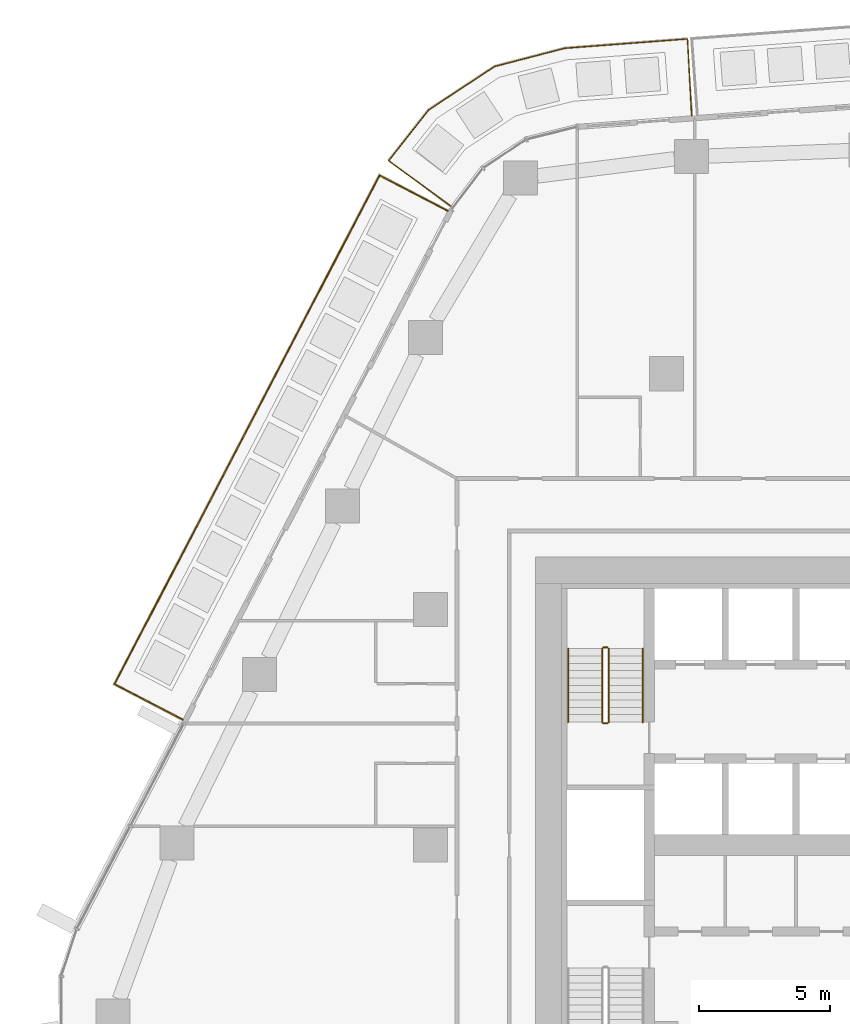
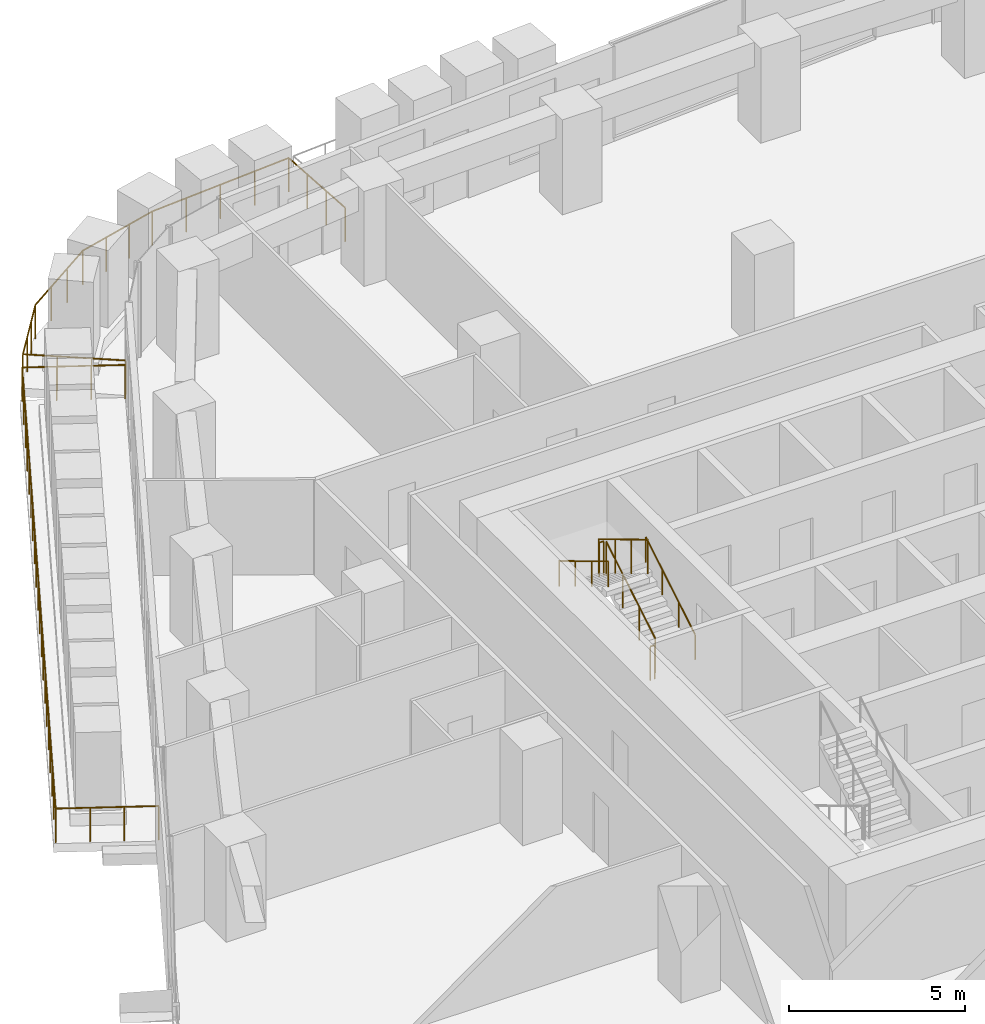
# One storey, part 21 of 23: 8 railings.
"""IFC4 building model written with IfcOpenShell, lengths in metres."""

import ifcopenshell
import ifcopenshell.guid

model = None  # the IFC model being written
_history = None  # IfcOwnerHistory: only IFC2X3 demands one
_inside = {}  # id of a spatial element -> (the spatial element, [elements in it])
_under = {}  # id of a project, library or spatial element -> (it, [spatial elements below it])
_declared = {}  # id of a project -> (the project, [libraries it declares])
_typed = {}  # id of a type object -> (the type object, [elements of that type])
_made_of = {}  # id of a material, layer set ... -> (it, [elements and type objects made of it])


def new_model(schema):
    """Start an empty IFC model of exactly this schema.

    Asked for "IFC4X3", IfcOpenShell would pick the latest addendum, in which some entities
    have other attributes; the version numbers below select the first issue.
    IFC2X3 requires an IfcOwnerHistory on every rooted entity: one is made here for all.
    """
    global model, _history
    if schema == "IFC4X3":
        model = ifcopenshell.file(schema_version=(4, 3, 0, 0))
    else:
        model = ifcopenshell.file(schema=schema)
    _inside.clear()
    _under.clear()
    _declared.clear()
    _typed.clear()
    _made_of.clear()
    _history = None
    if model.schema == "IFC2X3":
        org = make("IfcOrganization", Name="unknown")
        user = make(
            "IfcPersonAndOrganization",
            ThePerson=make("IfcPerson", FamilyName="unknown"),
            TheOrganization=org,
        )
        app = make(
            "IfcApplication",
            ApplicationDeveloper=org,
            Version="unknown",
            ApplicationFullName="unknown",
            ApplicationIdentifier="unknown",
        )
        _history = make(
            "IfcOwnerHistory",
            OwningUser=user,
            OwningApplication=app,
            ChangeAction="ADDED",
            CreationDate=0,
        )
    return model


def make(cls, **values):
    """One entity of the class cls with the attributes given. An attribute that is None is left unset."""
    return model.create_entity(
        cls, **{name: value for name, value in values.items() if value is not None}
    )


def rooted(cls, **values):
    """An entity with a GlobalId (a new one), such as an element, a storey or a relation."""
    return make(cls, GlobalId=ifcopenshell.guid.new(), OwnerHistory=_history, **values)


def si_unit(unit_type, name, prefix=None):
    """IfcSIUnit, for example si_unit("LENGTHUNIT", "METRE", prefix="MILLI")."""
    return make("IfcSIUnit", UnitType=unit_type, Prefix=prefix, Name=name)


def assignment(units):
    """IfcUnitAssignment: the units of a project."""
    return None if units is None else make("IfcUnitAssignment", Units=units)


def point(xyz):
    """IfcCartesianPoint."""
    return None if xyz is None else make("IfcCartesianPoint", Coordinates=xyz)


def direction(xyz):
    """IfcDirection."""
    return None if xyz is None else make("IfcDirection", DirectionRatios=xyz)


def frame(location, z_axis=None, x_axis=None):
    """IfcAxis2Placement3D, a coordinate frame: its origin and axes. An axis left out is left unset."""
    return make(
        "IfcAxis2Placement3D",
        Location=point(location),
        Axis=direction(z_axis),
        RefDirection=direction(x_axis),
    )


def frame_2d(location, x_axis=None):
    """IfcAxis2Placement2D, a coordinate frame in the plane: its origin and x axis."""
    return make(
        "IfcAxis2Placement2D", Location=point(location), RefDirection=direction(x_axis)
    )


def origin():
    """The frame at (0, 0, 0) with its axes left unset."""
    return frame((0.0, 0.0, 0.0))


def origin_2d():
    """The frame at (0, 0) in the plane with its x axis left unset."""
    return frame_2d((0.0, 0.0))


def place(relative_to, where):
    """IfcLocalPlacement: puts the frame where relative to a parent placement (None: the world)."""
    return make(
        "IfcLocalPlacement", PlacementRelTo=relative_to, RelativePlacement=where
    )


def context(
    kind, dimensions, precision=None, world=None, true_north=None, identifier=None
):
    """IfcGeometricRepresentationContext, for example the 3D "Model" context."""
    return make(
        "IfcGeometricRepresentationContext",
        ContextIdentifier=identifier,
        ContextType=kind,
        CoordinateSpaceDimension=dimensions,
        Precision=precision,
        WorldCoordinateSystem=world,
        TrueNorth=true_north,
    )


def subcontext(parent, identifier, kind, view, scale=None):
    """IfcGeometricRepresentationSubContext, for example "Body" below "Model"."""
    return make(
        "IfcGeometricRepresentationSubContext",
        ContextIdentifier=identifier,
        ContextType=kind,
        ParentContext=parent,
        TargetScale=scale,
        TargetView=view,
    )


def project(units=None, contexts=None):
    """IfcProject with its units and contexts."""
    return rooted(
        "IfcProject",
        Name="project",
        RepresentationContexts=contexts,
        UnitsInContext=assignment(units),
    )


def spatial(cls, under=None, at=None, **own):
    """A site, building, storey or space (cls), placed at a placement, below another one or the project."""
    s = rooted(cls, ObjectPlacement=at, **own)
    if under is not None:
        _under.setdefault(under.id(), (under, []))[1].append(s)
    return s


def profile(cls, at=None, kind="AREA", **sizes):
    """A parametric profile (cls). Its sizes go by their IFC names, for example OverallWidth=200.0."""
    return make(cls, ProfileType=kind, Position=at, **sizes)


def circle(**sizes):
    """IfcCircleProfileDef."""
    return profile("IfcCircleProfileDef", **sizes)


def extrude(swept, where, along, depth):
    """IfcExtrudedAreaSolid: the profile swept, set in the frame where, extruded along a direction by depth."""
    return make(
        "IfcExtrudedAreaSolid",
        SweptArea=swept,
        Position=where,
        ExtrudedDirection=direction(along),
        Depth=depth,
    )


def shape(context_of_items, identifier, shape_type, items):
    """IfcShapeRepresentation: the items that make up one representation, for example the "Body"."""
    return make(
        "IfcShapeRepresentation",
        ContextOfItems=context_of_items,
        RepresentationIdentifier=identifier,
        RepresentationType=shape_type,
        Items=items,
    )


def material(Name=None, Category=None):
    """IfcMaterial."""
    return make("IfcMaterial", Name=Name, Category=Category)


def made_of(thing, what):
    """Note that an element or type object is made of a material, layer set ...; save() writes the relation."""
    if what is not None:
        _made_of.setdefault(what.id(), (what, []))[1].append(thing)
    return thing


def type_object(cls, material=None, **own):
    """A type object (cls), such as IfcWallType, which elements share."""
    return made_of(rooted(cls, **own), material)


def element(
    cls,
    number,
    at=None,
    inside=None,
    cuts=None,
    type_object=None,
    material=None,
    context=None,
    identifier="Body",
    shape_type=None,
    held_by="IfcProductDefinitionShape",
    body=None,
    shapes=None,
    **own,
):
    """One element of the class cls, such as IfcWall. Its Tag is "e" and its number.

    at: its placement. inside: the storey or other place that contains it. cuts: it is an
    opening in that element (IfcRelVoidsElement). A single representation is given by context,
    identifier, shape_type and body (its items); several are given by shapes. held_by: the class
    of the entity that holds the representations. save() writes the other relations.
    """
    e = rooted(cls, Tag="e%d" % number, ObjectPlacement=at, **own)
    if body is not None:
        shapes = [shape(context, identifier, shape_type, body)]
    if shapes is not None:
        e.Representation = make(held_by, Representations=shapes)
    if inside is not None:
        _inside.setdefault(inside.id(), (inside, []))[1].append(e)
    if cuts is not None:
        rooted(
            "IfcRelVoidsElement", RelatingBuildingElement=cuts, RelatedOpeningElement=e
        )
    if type_object is not None:
        _typed.setdefault(type_object.id(), (type_object, []))[1].append(e)
    return made_of(e, material)


def aggregate(whole, parts):
    """IfcRelAggregates: a whole, such as a stair, and the parts it consists of."""
    return rooted("IfcRelAggregates", RelatingObject=whole, RelatedObjects=parts)


def save(model, path):
    """Write the relations noted so far, then the file.

    IfcRelAggregates (storeys below a building ...), IfcRelContainedInSpatialStructure (elements
    in a storey), IfcRelDefinesByType, IfcRelAssociatesMaterial and IfcRelDeclares: one each for
    every whole, place, type object, material and project.
    """
    for whole, parts in _under.values():
        aggregate(whole, parts)
    for where, things in _inside.values():
        rooted(
            "IfcRelContainedInSpatialStructure",
            RelatedElements=things,
            RelatingStructure=where,
        )
    for kind, things in _typed.values():
        rooted("IfcRelDefinesByType", RelatedObjects=things, RelatingType=kind)
    for what, things in _made_of.values():
        rooted("IfcRelAssociatesMaterial", RelatedObjects=things, RelatingMaterial=what)
    for by, libraries in _declared.values():
        rooted("IfcRelDeclares", RelatingContext=by, RelatedDefinitions=libraries)
    model.write(path)


model = new_model("IFC4")

# Units and contexts
model_context = context("Model", 3, precision=1e-05, world=origin(), true_north=direction((0.0, 1.0)))
body_context = subcontext(model_context, "Body", "Model", "MODEL_VIEW")
ifc_project = project(units=[si_unit("LENGTHUNIT", "METRE"), si_unit("AREAUNIT", "SQUARE_METRE"), si_unit("VOLUMEUNIT", "CUBIC_METRE"), si_unit("PLANEANGLEUNIT", "RADIAN"), si_unit("MASSUNIT", "GRAM", prefix="KILO")], contexts=[model_context])

# Site, building, storey
site_placement = place(None, origin())
site = spatial("IfcSite", under=ifc_project, at=site_placement, CompositionType="ELEMENT")
building_placement = place(site_placement, origin())
building = spatial("IfcBuilding", under=site, at=building_placement, Name="Dongbaek Canopy Tower", CompositionType="ELEMENT")
storey_placement = place(building_placement, frame((0.0, 0.0, 132.199951171875)))
storey = spatial("IfcBuildingStorey", under=building, at=storey_placement, Name="L29", CompositionType="ELEMENT", Elevation=132.199951171875)

# Railings
ifc_material_1 = material(Name="Stainless steel", Category="steel")
railing_type_1 = type_object("IfcRailingType", Name="Balcony balustrade 1200", PredefinedType="BALUSTRADE", material=ifc_material_1)
railing_1_placement = place(storey_placement, frame((-8.033447265625, 27.8486328125, 0.0)))
element("IfcRailing", 1, at=railing_1_placement, inside=storey, type_object=railing_type_1, Name="Balcony guard L29 6", PredefinedType="BALUSTRADE", context=body_context, shape_type="SweptSolid", body=[
    extrude(circle(Radius=0.02392578125, at=origin_2d()), frame((0.0, 0.0, 1.17578125), z_axis=(-0.053216801753, 0.998582982036, 0.0), x_axis=(-0.998582982036, -0.053216801753, 0.0)), (0.0, 0.0, 1.0), 2.940673828125),
    extrude(circle(Radius=0.02392578125, at=origin_2d()), frame((-0.156494140625, 2.9365234375, 1.17578125), z_axis=(-0.997125831941, -0.075763284491, 0.0), x_axis=(0.075763284491, -0.997125831941, 0.0)), (0.0, 0.0, 1.0), 4.701416015625),
    extrude(circle(Radius=0.02392578125, at=origin_2d()), frame((-4.844482421875, 2.580322265625, 1.17578125), z_axis=(-0.967791156574, -0.251754398686, 0.0), x_axis=(0.251754398686, -0.967791156574, 0.0)), (0.0, 0.0, 1.0), 2.76953125),
    extrude(circle(Radius=0.02392578125, at=origin_2d()), frame((-7.52490234375, 1.883056640625, 1.17578125), z_axis=(-0.835286007651, -0.549815683137, 0.0), x_axis=(0.549815683137, -0.835286007651, 0.0)), (0.0, 0.0, 1.0), 3.016357421875),
    extrude(circle(Radius=0.02392578125, at=origin_2d()), frame((-10.04443359375, 0.224609375, 1.17578125), z_axis=(-0.618384358622, -0.785875807626, 0.0), x_axis=(0.785875807626, -0.618384358622, 0.0)), (0.0, 0.0, 1.0), 2.470703125),
    extrude(circle(Radius=0.02392578125, at=origin_2d()), frame((-11.572265625, -1.717041015625, 1.17578125), z_axis=(0.808466739516, -0.5885418686, 0.0), x_axis=(0.5885418686, 0.808466739516, 0.0)), (0.0, 0.0, 1.0), 2.940673828125),
    extrude(circle(Radius=0.02099609375, at=origin_2d()), origin(), (0.0, 0.0, 1.0), 1.15185546875),
    extrude(circle(Radius=0.02099609375, at=origin_2d()), frame((-0.05224609375, 0.978759765625, 0.0)), (0.0, 0.0, 1.0), 1.15185546875),
    extrude(circle(Radius=0.02099609375, at=origin_2d()), frame((-0.104248046875, 1.957763671875, 0.0)), (0.0, 0.0, 1.0), 1.15185546875),
    extrude(circle(Radius=0.02099609375, at=origin_2d()), frame((-0.156494140625, 2.9365234375, 0.0)), (0.0, 0.0, 1.0), 1.15185546875),
    extrude(circle(Radius=0.02099609375, at=origin_2d()), frame((-1.32861328125, 2.847412109375, 0.0)), (0.0, 0.0, 1.0), 1.15185546875),
    extrude(circle(Radius=0.02099609375, at=origin_2d()), frame((-2.50048828125, 2.75830078125, 0.0)), (0.0, 0.0, 1.0), 1.15185546875),
    extrude(circle(Radius=0.02099609375, at=origin_2d()), frame((-3.67236328125, 2.66943359375, 0.0)), (0.0, 0.0, 1.0), 1.15185546875),
    extrude(circle(Radius=0.02099609375, at=origin_2d()), frame((-4.844482421875, 2.580322265625, 0.0)), (0.0, 0.0, 1.0), 1.15185546875),
    extrude(circle(Radius=0.02099609375, at=origin_2d()), frame((-5.738037109375, 2.347900390625, 0.0)), (0.0, 0.0, 1.0), 1.15185546875),
    extrude(circle(Radius=0.02099609375, at=origin_2d()), frame((-6.63134765625, 2.115478515625, 0.0)), (0.0, 0.0, 1.0), 1.15185546875),
    extrude(circle(Radius=0.02099609375, at=origin_2d()), frame((-7.52490234375, 1.883056640625, 0.0)), (0.0, 0.0, 1.0), 1.15185546875),
    extrude(circle(Radius=0.02099609375, at=origin_2d()), frame((-8.36474609375, 1.330322265625, 0.0)), (0.0, 0.0, 1.0), 1.15185546875),
    extrude(circle(Radius=0.02099609375, at=origin_2d()), frame((-9.20458984375, 0.77734375, 0.0)), (0.0, 0.0, 1.0), 1.15185546875),
    extrude(circle(Radius=0.02099609375, at=origin_2d()), frame((-10.04443359375, 0.224609375, 0.0)), (0.0, 0.0, 1.0), 1.15185546875),
    extrude(circle(Radius=0.02099609375, at=origin_2d()), frame((-10.5537109375, -0.422607421875, 0.0)), (0.0, 0.0, 1.0), 1.15185546875),
    extrude(circle(Radius=0.02099609375, at=origin_2d()), frame((-11.06298828125, -1.06982421875, 0.0)), (0.0, 0.0, 1.0), 1.15185546875),
    extrude(circle(Radius=0.02099609375, at=origin_2d()), frame((-11.572265625, -1.717041015625, 0.0)), (0.0, 0.0, 1.0), 1.15185546875),
    extrude(circle(Radius=0.02099609375, at=origin_2d()), frame((-10.77978515625, -2.2939453125, 0.0)), (0.0, 0.0, 1.0), 1.15185546875),
    extrude(circle(Radius=0.02099609375, at=origin_2d()), frame((-9.9873046875, -2.870849609375, 0.0)), (0.0, 0.0, 1.0), 1.15185546875),
    extrude(circle(Radius=0.02099609375, at=origin_2d()), frame((-9.19482421875, -3.44775390625, 0.0)), (0.0, 0.0, 1.0), 1.15185546875),
])
railing_2_placement = place(storey_placement, frame((-17.345703125, 24.2158203125, 0.0)))
element("IfcRailing", 2, at=railing_2_placement, inside=storey, type_object=railing_type_1, Name="Balcony guard L29 2", PredefinedType="BALUSTRADE", context=body_context, shape_type="SweptSolid", body=[
    extrude(circle(Radius=0.02392578125, at=origin_2d()), frame((0.0, 0.0, 1.17578125), z_axis=(-0.886948811546, 0.46186773615, 0.0), x_axis=(-0.46186773615, -0.886948811546, 0.0)), (0.0, 0.0, 1.0), 2.93994140625),
    extrude(circle(Radius=0.02392578125, at=origin_2d()), frame((-2.607666015625, 1.35791015625, 1.17578125), z_axis=(-0.461907199469, -0.88692826039, 0.0), x_axis=(0.88692826039, -0.461907199469, 0.0)), (0.0, 0.0, 1.0), 21.9013671875),
    extrude(circle(Radius=0.02392578125, at=origin_2d()), frame((-12.72412109375, -18.067138671875, 1.17578125), z_axis=(0.886948811546, -0.46186773615, 0.0), x_axis=(0.46186773615, 0.886948811546, 0.0)), (0.0, 0.0, 1.0), 2.93994140625),
    extrude(circle(Radius=0.02099609375, at=origin_2d()), origin(), (0.0, 0.0, 1.0), 1.15185546875),
    extrude(circle(Radius=0.02099609375, at=origin_2d()), frame((-0.869140625, 0.45263671875, 0.0)), (0.0, 0.0, 1.0), 1.15185546875),
    extrude(circle(Radius=0.02099609375, at=origin_2d()), frame((-1.738525390625, 0.9052734375, 0.0)), (0.0, 0.0, 1.0), 1.15185546875),
    extrude(circle(Radius=0.02099609375, at=origin_2d()), frame((-2.607666015625, 1.35791015625, 0.0)), (0.0, 0.0, 1.0), 1.15185546875),
    extrude(circle(Radius=0.02099609375, at=origin_2d()), frame((-3.14013671875, 0.33544921875, 0.0)), (0.0, 0.0, 1.0), 1.15185546875),
    extrude(circle(Radius=0.02099609375, at=origin_2d()), frame((-3.672607421875, -0.686767578125, 0.0)), (0.0, 0.0, 1.0), 1.15185546875),
    extrude(circle(Radius=0.02099609375, at=origin_2d()), frame((-4.205078125, -1.709228515625, 0.0)), (0.0, 0.0, 1.0), 1.15185546875),
    extrude(circle(Radius=0.02099609375, at=origin_2d()), frame((-4.737548828125, -2.731689453125, 0.0)), (0.0, 0.0, 1.0), 1.15185546875),
    extrude(circle(Radius=0.02099609375, at=origin_2d()), frame((-5.269775390625, -3.75390625, 0.0)), (0.0, 0.0, 1.0), 1.15185546875),
    extrude(circle(Radius=0.02099609375, at=origin_2d()), frame((-5.80224609375, -4.7763671875, 0.0)), (0.0, 0.0, 1.0), 1.15185546875),
    extrude(circle(Radius=0.02099609375, at=origin_2d()), frame((-6.334716796875, -5.798583984375, 0.0)), (0.0, 0.0, 1.0), 1.15185546875),
    extrude(circle(Radius=0.02099609375, at=origin_2d()), frame((-6.8671875, -6.821044921875, 0.0)), (0.0, 0.0, 1.0), 1.15185546875),
    extrude(circle(Radius=0.02099609375, at=origin_2d()), frame((-7.399658203125, -7.843505859375, 0.0)), (0.0, 0.0, 1.0), 1.15185546875),
    extrude(circle(Radius=0.02099609375, at=origin_2d()), frame((-7.93212890625, -8.86572265625, 0.0)), (0.0, 0.0, 1.0), 1.15185546875),
    extrude(circle(Radius=0.02099609375, at=origin_2d()), frame((-8.464599609375, -9.88818359375, 0.0)), (0.0, 0.0, 1.0), 1.15185546875),
    extrude(circle(Radius=0.02099609375, at=origin_2d()), frame((-8.9970703125, -10.91064453125, 0.0)), (0.0, 0.0, 1.0), 1.15185546875),
    extrude(circle(Radius=0.02099609375, at=origin_2d()), frame((-9.529541015625, -11.932861328125, 0.0)), (0.0, 0.0, 1.0), 1.15185546875),
    extrude(circle(Radius=0.02099609375, at=origin_2d()), frame((-10.06201171875, -12.955322265625, 0.0)), (0.0, 0.0, 1.0), 1.15185546875),
    extrude(circle(Radius=0.02099609375, at=origin_2d()), frame((-10.59423828125, -13.9775390625, 0.0)), (0.0, 0.0, 1.0), 1.15185546875),
    extrude(circle(Radius=0.02099609375, at=origin_2d()), frame((-11.126708984375, -15.0, 0.0)), (0.0, 0.0, 1.0), 1.15185546875),
    extrude(circle(Radius=0.02099609375, at=origin_2d()), frame((-11.6591796875, -16.0224609375, 0.0)), (0.0, 0.0, 1.0), 1.15185546875),
    extrude(circle(Radius=0.02099609375, at=origin_2d()), frame((-12.191650390625, -17.044677734375, 0.0)), (0.0, 0.0, 1.0), 1.15185546875),
    extrude(circle(Radius=0.02099609375, at=origin_2d()), frame((-12.72412109375, -18.067138671875, 0.0)), (0.0, 0.0, 1.0), 1.15185546875),
    extrude(circle(Radius=0.02099609375, at=origin_2d()), frame((-11.85498046875, -18.519775390625, 0.0)), (0.0, 0.0, 1.0), 1.15185546875),
    extrude(circle(Radius=0.02099609375, at=origin_2d()), frame((-10.985595703125, -18.972412109375, 0.0)), (0.0, 0.0, 1.0), 1.15185546875),
    extrude(circle(Radius=0.02099609375, at=origin_2d()), frame((-10.116455078125, -19.425048828125, 0.0)), (0.0, 0.0, 1.0), 1.15185546875),
])
ifc_material_2 = material(Name="Stainless steel tube and balusters", Category="steel")
railing_type_2 = type_object("IfcRailingType", Name="Stair guard 1200", PredefinedType="GUARDRAIL", material=ifc_material_2)
railing_3_placement = place(storey_placement, frame((-11.199951171875, 4.699951171875, 0.168212890625)))
element("IfcRailing", 3, at=railing_3_placement, inside=storey, type_object=railing_type_2, Name="L29 ST-C stair guard 1", PredefinedType="GUARDRAIL", context=body_context, shape_type="SweptSolid", body=[
    extrude(circle(Radius=0.02392578125, at=origin_2d()), frame((0.0, 0.0, 1.17578125), z_axis=(0.0, 0.857242210791, 0.514913383045), x_axis=(-1.0, 0.0, 0.0)), (0.0, 0.0, 1.0), 3.266357421875),
    extrude(circle(Radius=0.02099609375, at=origin_2d()), origin(), (0.0, 0.0, 1.0), 1.15185546875),
    extrude(circle(Radius=0.02099609375, at=origin_2d()), frame((0.0, 0.933349609375, 0.560546875)), (0.0, 0.0, 1.0), 1.15185546875),
    extrude(circle(Radius=0.02099609375, at=origin_2d()), frame((0.0, 1.86669921875, 1.121337890625)), (0.0, 0.0, 1.0), 1.15185546875),
    extrude(circle(Radius=0.02099609375, at=origin_2d()), frame((0.0, 2.800048828125, 1.681884765625)), (0.0, 0.0, 1.0), 1.15185546875),
])
railing_4_placement = place(storey_placement, frame((-11.25, 7.550048828125, 1.85009765625)))
element("IfcRailing", 4, at=railing_4_placement, inside=storey, type_object=railing_type_2, Name="L29 ST-C stair guard 2", PredefinedType="GUARDRAIL", context=body_context, shape_type="SweptSolid", body=[
    extrude(circle(Radius=0.02392578125, at=origin_2d()), frame((0.0, 0.0, 1.17578125), z_axis=(-1.0, 0.0, 0.0), x_axis=(0.0, -1.0, 0.0)), (0.0, 0.0, 1.0), 0.14990234375),
    extrude(circle(Radius=0.02099609375, at=origin_2d()), origin(), (0.0, 0.0, 1.0), 1.15185546875),
    extrude(circle(Radius=0.02099609375, at=origin_2d()), frame((-0.14990234375, 0.0, 0.0)), (0.0, 0.0, 1.0), 1.15185546875),
])
railing_5_placement = place(storey_placement, frame((-11.449951171875, 7.5, 2.018310546875)))
element("IfcRailing", 5, at=railing_5_placement, inside=storey, type_object=railing_type_2, Name="L29 ST-C stair guard 3", PredefinedType="GUARDRAIL", context=body_context, shape_type="SweptSolid", body=[
    extrude(circle(Radius=0.02392578125, at=origin_2d()), frame((0.0, 0.0, 1.17578125), z_axis=(0.0, -0.857275202839, 0.514858452973), x_axis=(1.0, 0.0, 0.0)), (0.0, 0.0, 1.0), 3.26611328125),
    extrude(circle(Radius=0.02099609375, at=origin_2d()), origin(), (0.0, 0.0, 1.0), 1.15185546875),
    extrude(circle(Radius=0.02099609375, at=origin_2d()), frame((0.0, -0.933349609375, 0.560546875)), (0.0, 0.0, 1.0), 1.15185546875),
    extrude(circle(Radius=0.02099609375, at=origin_2d()), frame((0.0, -1.86669921875, 1.12109375)), (0.0, 0.0, 1.0), 1.15185546875),
    extrude(circle(Radius=0.02099609375, at=origin_2d()), frame((0.0, -2.800048828125, 1.681640625)), (0.0, 0.0, 1.0), 1.15185546875),
])
railing_6_placement = place(storey_placement, frame((-11.25, 4.64990234375, 0.0)))
element("IfcRailing", 6, at=railing_6_placement, inside=storey, type_object=railing_type_2, Name="L29 ST-C stair guard 4", PredefinedType="GUARDRAIL", context=body_context, shape_type="SweptSolid", body=[
    extrude(circle(Radius=0.02392578125, at=origin_2d()), frame((0.0, 0.0, 1.17578125), z_axis=(-1.0, 0.0, 0.0), x_axis=(0.0, -1.0, 0.0)), (0.0, 0.0, 1.0), 0.14990234375),
    extrude(circle(Radius=0.02099609375, at=origin_2d()), origin(), (0.0, 0.0, 1.0), 1.15185546875),
    extrude(circle(Radius=0.02099609375, at=origin_2d()), frame((-0.14990234375, 0.0, 0.0)), (0.0, 0.0, 1.0), 1.15185546875),
])
ifc_material_3 = material(Name="Stainless steel tube", Category="steel")
railing_type_3 = type_object("IfcRailingType", Name="Stair handrail 900", PredefinedType="HANDRAIL", material=ifc_material_3)
railing_7_placement = place(storey_placement, frame((-9.89990234375, 4.699951171875, 0.168212890625)))
element("IfcRailing", 7, at=railing_7_placement, inside=storey, type_object=railing_type_3, Name="L29 ST-C stair handrail 1", PredefinedType="HANDRAIL", context=body_context, shape_type="SweptSolid", body=[
    extrude(circle(Radius=0.02392578125, at=origin_2d()), frame((0.0, 0.0, 0.8759765625), z_axis=(0.0, 0.857242210791, 0.514913383045), x_axis=(-1.0, 0.0, 0.0)), (0.0, 0.0, 1.0), 3.266357421875),
    extrude(circle(Radius=0.02099609375, at=origin_2d()), origin(), (0.0, 0.0, 1.0), 0.851806640625),
    extrude(circle(Radius=0.02099609375, at=origin_2d()), frame((0.0, 0.933349609375, 0.560546875)), (0.0, 0.0, 1.0), 0.851806640625),
    extrude(circle(Radius=0.02099609375, at=origin_2d()), frame((0.0, 1.86669921875, 1.121337890625)), (0.0, 0.0, 1.0), 0.851806640625),
    extrude(circle(Radius=0.02099609375, at=origin_2d()), frame((0.0, 2.800048828125, 1.681884765625)), (0.0, 0.0, 1.0), 0.851806640625),
])
railing_8_placement = place(storey_placement, frame((-12.75, 7.5, 2.018310546875)))
element("IfcRailing", 8, at=railing_8_placement, inside=storey, type_object=railing_type_3, Name="L29 ST-C stair handrail 2", PredefinedType="HANDRAIL", context=body_context, shape_type="SweptSolid", body=[
    extrude(circle(Radius=0.02392578125, at=origin_2d()), frame((0.0, 0.0, 0.8759765625), z_axis=(0.0, -0.857275202839, 0.514858452973), x_axis=(1.0, 0.0, 0.0)), (0.0, 0.0, 1.0), 3.26611328125),
    extrude(circle(Radius=0.02099609375, at=origin_2d()), origin(), (0.0, 0.0, 1.0), 0.851806640625),
    extrude(circle(Radius=0.02099609375, at=origin_2d()), frame((0.0, -0.933349609375, 0.560546875)), (0.0, 0.0, 1.0), 0.851806640625),
    extrude(circle(Radius=0.02099609375, at=origin_2d()), frame((0.0, -1.86669921875, 1.12109375)), (0.0, 0.0, 1.0), 0.851806640625),
    extrude(circle(Radius=0.02099609375, at=origin_2d()), frame((0.0, -2.800048828125, 1.681640625)), (0.0, 0.0, 1.0), 0.851806640625),
])

save(model, "model.ifc")
